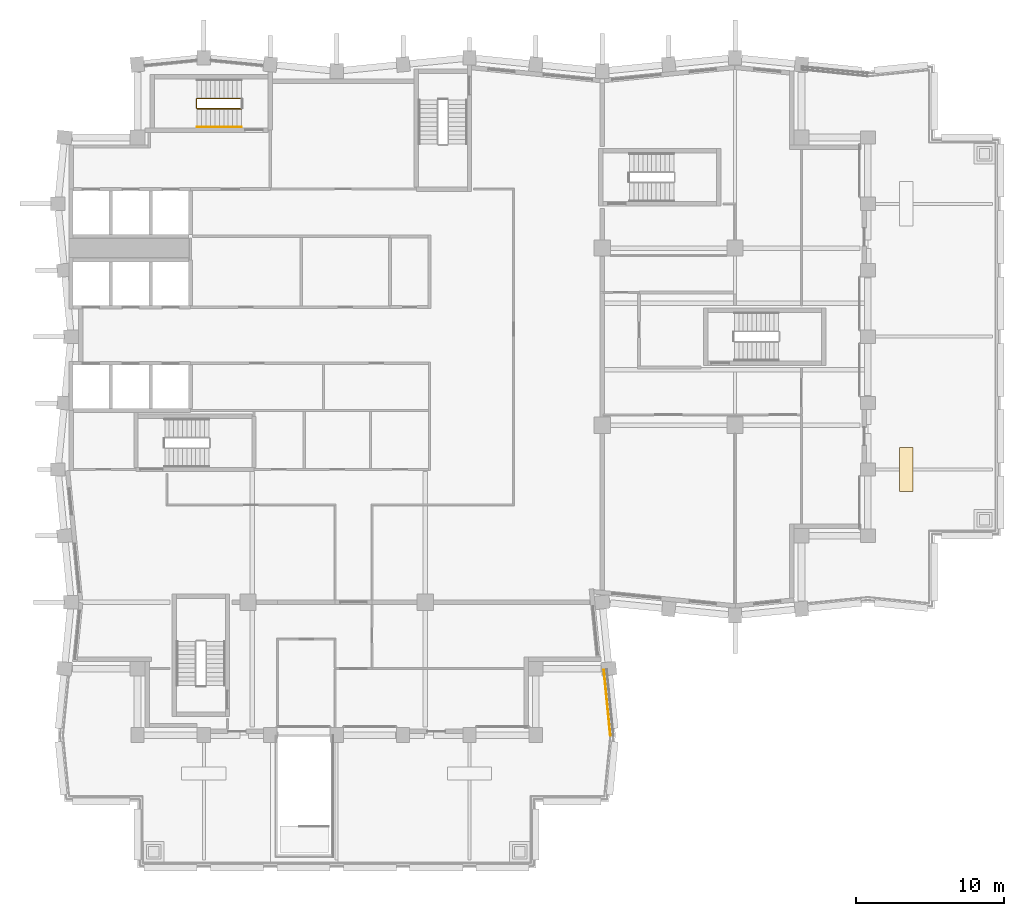
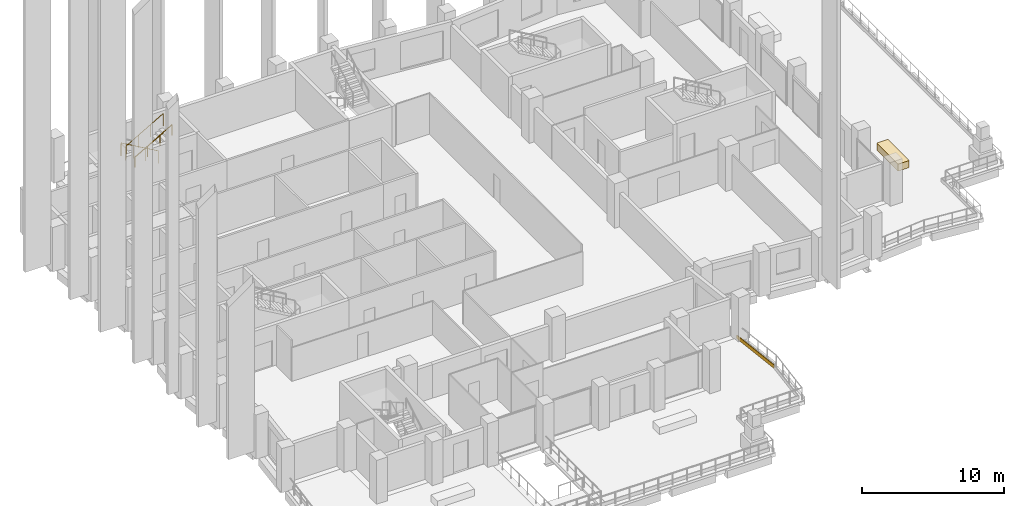
# One storey, part 17 of 19: 2 coverings, 2 railings.
"""IFC4 building model written with IfcOpenShell, lengths in metres."""

from ifc_helpers import new_model, si_unit, direction, frame, origin, origin_2d, place, context, subcontext, project, spatial, polyline, rectangle, circle, outline, extrude, material, layer, layer_set, type_object, element, save


model = new_model("IFC4")

# Units and contexts
model_context = context("Model", 3, precision=1e-05, world=origin(), true_north=direction((0.0, 1.0)))
body_context = subcontext(model_context, "Body", "Model", "MODEL_VIEW")
ifc_project = project(units=[si_unit("LENGTHUNIT", "METRE"), si_unit("AREAUNIT", "SQUARE_METRE"), si_unit("VOLUMEUNIT", "CUBIC_METRE"), si_unit("PLANEANGLEUNIT", "RADIAN"), si_unit("MASSUNIT", "GRAM", prefix="KILO")], contexts=[model_context])

# Site, building, storey
site_placement = place(None, origin())
site = spatial("IfcSite", under=ifc_project, at=site_placement, CompositionType="ELEMENT")
building_placement = place(site_placement, origin())
building = spatial("IfcBuilding", under=site, at=building_placement, Name="Brondeck Convention Tower", CompositionType="ELEMENT")
storey_placement = place(building_placement, frame((0.0, 0.0, 198.800048828125)))
storey = spatial("IfcBuildingStorey", under=building, at=storey_placement, Name="L48", CompositionType="ELEMENT", Elevation=198.800048828125)

# Coverings
ifc_material_1 = material(Name="Aluminium, bronze anodised planter with soil", Category="aluminium")
ifc_layer_1 = layer(ifc_material_1, 0.199951171875)
ifc_layer_set_1 = layer_set([ifc_layer_1], Name="Roof planter")
covering_type_1 = type_object("IfcCoveringType", Name="Roof planter", PredefinedType="USERDEFINED", material=ifc_layer_set_1)
covering_1_placement = place(storey_placement, frame((56.60009765625, 36.0, 0.0498046875), z_axis=(0.0, 0.0, 1.0), x_axis=(0.0, 1.0, 0.0)))
element("IfcCovering", 1, at=covering_1_placement, inside=storey, type_object=covering_type_1, Name="ENV-S2-2-PL01", ObjectType="PLANTER", PredefinedType="USERDEFINED", context=body_context, shape_type="SweptSolid", body=[
    extrude(rectangle(XDim=3.0, YDim=0.89990234375, at=origin_2d()), origin(), (0.0, 0.0, 1.0), 0.60009765625),
])
ifc_material_2 = material(Name="Aluminium, bronze anodised", Category="aluminium")
ifc_layer_2 = layer(ifc_material_2, 0.050048828125)
ifc_layer_set_2 = layer_set([ifc_layer_2], Name="Snow retention bar")
covering_type_2 = type_object("IfcCoveringType", Name="Snow retention bar", PredefinedType="MOLDING", material=ifc_layer_set_2)
covering_2_placement = place(storey_placement, frame((0.0, 0.0, 0.050048828125)))
element("IfcCovering", 2, at=covering_2_placement, inside=storey, type_object=covering_type_2, Name="ENV-S2-1b-SR1", PredefinedType="MOLDING", context=body_context, shape_type="SweptSolid", body=[
    extrude(outline(polyline([(36.57666015625, 17.9677734375), (36.131591796875, 22.41796875), (36.081787109375, 22.4130859375), (36.52685546875, 17.962646484375), (36.57666015625, 17.9677734375)])), origin(), (0.0, 0.0, 1.0), 0.2998046875),
])

# Railings
ifc_material_3 = material(Name="Steel S355", Category="steel")
railing_type_1 = type_object("IfcRailingType", Name="Stair guard 1100", PredefinedType="GUARDRAIL", material=ifc_material_3)
railing_1_placement = place(storey_placement, frame((11.550048828125, 61.14990234375, 0.172607421875)))
element("IfcRailing", 3, at=railing_1_placement, inside=storey, type_object=railing_type_1, Name="L48 ST-3 stair guard 1", PredefinedType="GUARDRAIL", context=body_context, shape_type="SweptSolid", body=[
    extrude(circle(Radius=0.02392578125, at=origin_2d()), frame((0.0, 0.0, 1.076171875), z_axis=(-0.866619684472, 0.0, 0.498969260062), x_axis=(0.0, -1.0, 0.0)), (0.0, 0.0, 1.0), 3.461669921875),
    extrude(circle(Radius=0.02392578125, at=origin_2d()), frame((-3.0, 0.0, 2.80322265625), z_axis=(-0.708833529934, -0.705375805398, 0.0), x_axis=(0.705375805398, -0.708833529934, 0.0)), (0.0, 0.0, 1.0), 0.070556640625),
    extrude(circle(Radius=0.02392578125, at=origin_2d()), frame((-3.050048828125, -0.0498046875, 2.80322265625), z_axis=(0.0, -1.0, 0.0), x_axis=(1.0, 0.0, 0.0)), (0.0, 0.0, 1.0), 0.60009765625),
    extrude(circle(Radius=0.02392578125, at=origin_2d()), frame((-3.050048828125, -0.64990234375, 2.80322265625), z_axis=(0.267953482034, -0.267953482034, 0.925419830635), x_axis=(0.707106781187, 0.707106781187, 0.0)), (0.0, 0.0, 1.0), 0.186767578125),
    extrude(circle(Radius=0.02392578125, at=origin_2d()), frame((-3.0, -0.699951171875, 2.97607421875), z_axis=(0.866619684472, 0.0, 0.498969260062), x_axis=(0.0, 1.0, 0.0)), (0.0, 0.0, 1.0), 3.461669921875),
    extrude(circle(Radius=0.02099609375, at=origin_2d()), origin(), (0.0, 0.0, 1.0), 1.052001953125),
    extrude(circle(Radius=0.02099609375, at=origin_2d()), frame((-1.0, 0.0, 0.57568359375)), (0.0, 0.0, 1.0), 1.052001953125),
    extrude(circle(Radius=0.02099609375, at=origin_2d()), frame((-2.0, 0.0, 1.151611328125)), (0.0, 0.0, 1.0), 1.052001953125),
    extrude(circle(Radius=0.02099609375, at=origin_2d()), frame((-3.0, 0.0, 1.727294921875)), (0.0, 0.0, 1.0), 1.052001953125),
    extrude(circle(Radius=0.02099609375, at=origin_2d()), frame((-3.050048828125, -0.0498046875, 1.727294921875)), (0.0, 0.0, 1.0), 1.052001953125),
    extrude(circle(Radius=0.02099609375, at=origin_2d()), frame((-3.050048828125, -0.64990234375, 1.727294921875)), (0.0, 0.0, 1.0), 1.052001953125),
    extrude(circle(Radius=0.02099609375, at=origin_2d()), frame((-3.0, -0.699951171875, 1.900146484375)), (0.0, 0.0, 1.0), 1.052001953125),
    extrude(circle(Radius=0.02099609375, at=origin_2d()), frame((-2.0, -0.699951171875, 2.475830078125)), (0.0, 0.0, 1.0), 1.052001953125),
    extrude(circle(Radius=0.02099609375, at=origin_2d()), frame((-1.0, -0.699951171875, 3.0517578125)), (0.0, 0.0, 1.0), 1.052001953125),
    extrude(circle(Radius=0.02099609375, at=origin_2d()), frame((0.0, -0.699951171875, 3.62744140625)), (0.0, 0.0, 1.0), 1.052001953125),
])
railing_type_2 = type_object("IfcRailingType", Name="Stair handrail", PredefinedType="HANDRAIL", material=ifc_material_3)
railing_2_placement = place(storey_placement, frame((8.550048828125, 59.199951171875, 2.07275390625)))
element("IfcRailing", 4, at=railing_2_placement, inside=storey, type_object=railing_type_2, Name="L48 ST-3 stair handrail 2", PredefinedType="HANDRAIL", context=body_context, shape_type="SweptSolid", body=[
    extrude(circle(Radius=0.02392578125, at=origin_2d()), frame((0.0, 0.0, 0.8759765625), z_axis=(0.866619684472, 0.0, 0.498969260062), x_axis=(0.0, 1.0, 0.0)), (0.0, 0.0, 1.0), 3.461669921875),
    extrude(circle(Radius=0.02099609375, at=origin_2d()), origin(), (0.0, 0.0, 1.0), 0.851806640625),
    extrude(circle(Radius=0.02099609375, at=origin_2d()), frame((1.0, 0.0, 0.57568359375)), (0.0, 0.0, 1.0), 0.851806640625),
    extrude(circle(Radius=0.02099609375, at=origin_2d()), frame((2.0, 0.0, 1.151611328125)), (0.0, 0.0, 1.0), 0.851806640625),
    extrude(circle(Radius=0.02099609375, at=origin_2d()), frame((3.0, 0.0, 1.727294921875)), (0.0, 0.0, 1.0), 0.851806640625),
])

save(model, "model.ifc")
